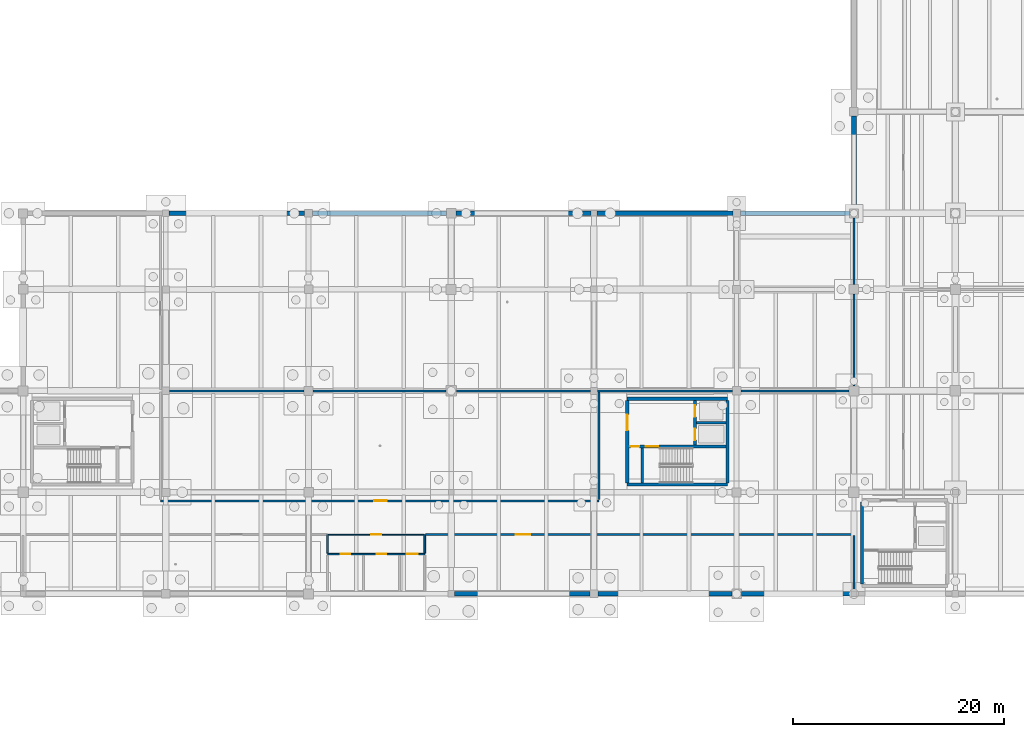
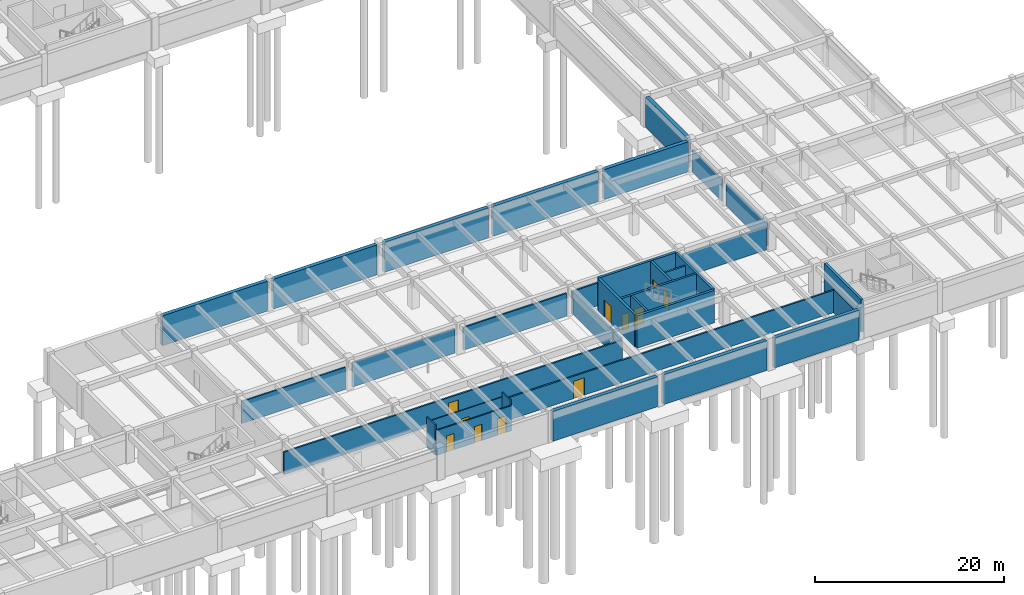
# One storey, part 17 of 41: 33 walls, 11 doors, 11 openings.
"""IFC4 building model written with IfcOpenShell, lengths in metres."""

from ifc_helpers import new_model, si_unit, direction, frame, frame_2d, origin, place, context, subcontext, project, spatial, rectangle, extrude, material, layer, layer_set, type_object, element, fill, save


model = new_model("IFC4")

# Units and contexts
model_context = context("Model", 3, precision=1e-05, world=origin(), true_north=direction((0.0, 1.0)))
body_context = subcontext(model_context, "Body", "Model", "MODEL_VIEW")
ifc_project = project(units=[si_unit("LENGTHUNIT", "METRE"), si_unit("AREAUNIT", "SQUARE_METRE"), si_unit("VOLUMEUNIT", "CUBIC_METRE"), si_unit("PLANEANGLEUNIT", "RADIAN"), si_unit("MASSUNIT", "GRAM", prefix="KILO")], contexts=[model_context])

# Site, building, storey
site_placement = place(None, origin())
site = spatial("IfcSite", under=ifc_project, at=site_placement, CompositionType="ELEMENT")
building_placement = place(site_placement, origin())
building = spatial("IfcBuilding", under=site, at=building_placement, Name="Fikremerkos Civic Library", CompositionType="ELEMENT")
storey_placement = place(building_placement, frame((0.0, 0.0, -8.39990234375)))
storey = spatial("IfcBuildingStorey", under=building, at=storey_placement, Name="B02", CompositionType="ELEMENT", Elevation=-8.39990234375)

# Walls
ifc_material_1 = material(Name="Concrete C40/50", Category="concrete")
ifc_layer_1 = layer(ifc_material_1, 0.449951171875, Name="Concrete C40/50")
ifc_layer_set_1 = layer_set([ifc_layer_1], Name="Concrete C40/50")
wall_type_1 = type_object("IfcWallType", Name="Basement retaining wall BRW-01 450", PredefinedType="USERDEFINED", material=ifc_layer_set_1)
wall_1_placement = place(storey_placement, frame((124.527099609375, 12.0, 0.0), z_axis=(0.0, 0.0, 1.0), x_axis=(-1.0, 0.0, 0.0)))
element("IfcWall", 1, at=wall_1_placement, inside=storey, type_object=wall_type_1, Name="Basement retaining wall BRW-01 B02 #1", ObjectType="RETAINING WALL", PredefinedType="USERDEFINED", context=body_context, shape_type="SweptSolid", body=[
    extrude(rectangle(XDim=10.379150390625, YDim=0.449951171875, at=frame_2d((5.189453125, 0.0))), origin(), (0.0, 0.0, 1.0), 3.85986328125),
])
wall_2_placement = place(storey_placement, frame((113.251953125, 12.0, 0.0), z_axis=(0.0, 0.0, 1.0), x_axis=(-1.0, 0.0, 0.0)))
element("IfcWall", 2, at=wall_2_placement, inside=storey, type_object=wall_type_1, Name="Basement retaining wall BRW-01 B02 #2", ObjectType="RETAINING WALL", PredefinedType="USERDEFINED", context=body_context, shape_type="SweptSolid", body=[
    extrude(rectangle(XDim=12.678955078125, YDim=0.449951171875, at=frame_2d((6.33935546875, 0.0))), origin(), (0.0, 0.0, 1.0), 3.85986328125),
])
wall_3_placement = place(storey_placement, frame((99.826904296875, 12.0, 0.0), z_axis=(0.0, 0.0, 1.0), x_axis=(-1.0, 0.0, 0.0)))
element("IfcWall", 3, at=wall_3_placement, inside=storey, type_object=wall_type_1, Name="Basement retaining wall BRW-01 B02 #3", ObjectType="RETAINING WALL", PredefinedType="USERDEFINED", context=body_context, shape_type="SweptSolid", body=[
    extrude(rectangle(XDim=12.828857421875, YDim=0.449951171875, at=frame_2d((6.41455078125, 0.0))), origin(), (0.0, 0.0, 1.0), 3.85986328125),
])
wall_4_placement = place(storey_placement, frame((59.998046875, 48.0, 0.0), z_axis=(0.0, 0.0, 1.0), x_axis=(1.0, 0.0, 0.0)))
element("IfcWall", 4, at=wall_4_placement, inside=storey, type_object=wall_type_1, Name="Basement retaining wall BRW-01 B02 #40", ObjectType="RETAINING WALL", PredefinedType="USERDEFINED", context=body_context, shape_type="SweptSolid", body=[
    extrude(rectangle(XDim=12.828857421875, YDim=0.449951171875, at=frame_2d((6.41455078125, 0.0))), origin(), (0.0, 0.0, 1.0), 3.8798828125),
])
wall_5_placement = place(storey_placement, frame((73.572998046875, 48.0, 0.0), z_axis=(0.0, 0.0, 1.0), x_axis=(1.0, 0.0, 0.0)))
element("IfcWall", 5, at=wall_5_placement, inside=storey, type_object=wall_type_1, Name="Basement retaining wall BRW-01 B02 #41", ObjectType="RETAINING WALL", PredefinedType="USERDEFINED", context=body_context, shape_type="SweptSolid", body=[
    extrude(rectangle(XDim=12.678955078125, YDim=0.449951171875, at=frame_2d((6.33935546875, 0.0))), origin(), (0.0, 0.0, 1.0), 3.8798828125),
])
wall_6_placement = place(storey_placement, frame((87.14794921875, 48.0, 0.0), z_axis=(0.0, 0.0, 1.0), x_axis=(1.0, 0.0, 0.0)))
element("IfcWall", 6, at=wall_6_placement, inside=storey, type_object=wall_type_1, Name="Basement retaining wall BRW-01 B02 #42", ObjectType="RETAINING WALL", PredefinedType="USERDEFINED", context=body_context, shape_type="SweptSolid", body=[
    extrude(rectangle(XDim=12.779052734375, YDim=0.449951171875, at=frame_2d((6.3896484375, 0.0))), origin(), (0.0, 0.0, 1.0), 3.8798828125),
])
wall_7_placement = place(storey_placement, frame((100.472900390625, 48.0, 0.0), z_axis=(0.0, 0.0, 1.0), x_axis=(1.0, 0.0, 0.0)))
element("IfcWall", 7, at=wall_7_placement, inside=storey, type_object=wall_type_1, Name="Basement retaining wall BRW-01 B02 #43", ObjectType="RETAINING WALL", PredefinedType="USERDEFINED", context=body_context, shape_type="SweptSolid", body=[
    extrude(rectangle(XDim=12.879150390625, YDim=0.449951171875, at=frame_2d((6.439453125, 0.0))), origin(), (0.0, 0.0, 1.0), 3.8798828125),
])
wall_8_placement = place(storey_placement, frame((114.048095703125, 48.0, 0.0), z_axis=(0.0, 0.0, 1.0), x_axis=(1.0, 0.0, 0.0)))
element("IfcWall", 8, at=wall_8_placement, inside=storey, type_object=wall_type_1, Name="Basement retaining wall BRW-01 B02 #44", ObjectType="RETAINING WALL", PredefinedType="USERDEFINED", context=body_context, shape_type="SweptSolid", body=[
    extrude(rectangle(XDim=10.328857421875, YDim=0.449951171875, at=frame_2d((5.16455078125, 0.0))), origin(), (0.0, 0.0, 1.0), 3.8798828125),
])
wall_9_placement = place(storey_placement, frame((124.800048828125, 48.423095703125, 0.0), z_axis=(0.0, 0.0, 1.0), x_axis=(0.0, 1.0, 0.0)))
element("IfcWall", 9, at=wall_9_placement, inside=storey, type_object=wall_type_1, Name="Basement retaining wall BRW-01 B02 #45", ObjectType="RETAINING WALL", PredefinedType="USERDEFINED", context=body_context, shape_type="SweptSolid", body=[
    extrude(rectangle(XDim=8.77880859375, YDim=0.449951171875, at=frame_2d((4.389404296875, 0.0))), origin(), (0.0, 0.0, 1.0), 3.89990234375),
])
ifc_layer_2 = layer(ifc_material_1, 0.300048828125, Name="Concrete C40/50")
ifc_layer_set_2 = layer_set([ifc_layer_2], Name="Concrete C40/50")
wall_type_2 = type_object("IfcWallType", Name="Core shear wall CSW-01 300", PredefinedType="SHEAR", material=ifc_layer_set_2)
for number, where, z_axis, x_axis, name in (
    (10, (112.85009765625, 22.35009765625, 0.0), (0.0, 0.0, 1.0), (-1.0, 0.0, 0.0), "Core K2 south shear wall B02"),
    (11, (103.35009765625, 30.449951171875, 0.0), (0.0, 0.0, 1.0), (1.0, 0.0, 0.0), "Core K2 north shear wall B02"),
):
    element("IfcWall", number, at=place(storey_placement, frame(where, z_axis=z_axis, x_axis=x_axis)), inside=storey, type_object=wall_type_2, Name=name, PredefinedType="SHEAR", context=body_context, shape_type="SweptSolid", body=[
        extrude(rectangle(XDim=9.5, YDim=0.300048828125, at=frame_2d((4.75, 0.0))), origin(), (0.0, 0.0, 1.0), 4.199951171875),
    ])

# Wall, opening, door
wall_10_placement = place(storey_placement, frame((103.35009765625, 22.501953125, 0.0), z_axis=(0.0, 0.0, 1.0), x_axis=(0.0, 1.0, 0.0)))
wall_10 = element("IfcWall", 12, at=wall_10_placement, inside=storey, type_object=wall_type_2, Name="Core K2 west shear wall B02", PredefinedType="SHEAR", context=body_context, shape_type="SweptSolid", body=[
    extrude(rectangle(XDim=7.796142578125, YDim=0.300048828125, at=frame_2d((3.89794921875, 0.0))), origin(), (0.0, 0.0, 1.0), 4.199951171875),
])
opening_1_placement = place(wall_10_placement, frame((4.947998046875, 0.0, 0.0)))
opening_1 = element("IfcOpeningElement", 13, at=opening_1_placement, cuts=wall_10, Name="Opening D053", PredefinedType="OPENING", context=body_context, shape_type="SweptSolid", body=[
    extrude(rectangle(XDim=1.5, YDim=2.25, at=frame_2d((0.75, 1.125))), frame((0.0, 0.159912109375, 0.0), z_axis=(0.0, -1.0, 0.0), x_axis=(1.0, 0.0, 0.0)), (0.0, 0.0, 1.0), 0.320068359375),
])
ifc_material_2 = material(Name="Hardwood timber and acoustic glass", Category="wood")
door_type_1 = type_object("IfcDoorType", Name="Pedestrian door DT-05 1500x2250", OperationType="NOTDEFINED", PredefinedType="DOOR", material=ifc_material_2)
door_1_placement = place(opening_1_placement, origin())
door_1 = element("IfcDoor", 14, at=door_1_placement, inside=storey, type_object=door_type_1, Name="Core K2 lobby fire door D053 B02", OperationType="SINGLE_SWING_LEFT", OverallHeight=2.25, OverallWidth=1.5, PredefinedType="DOOR", context=body_context, shape_type="SweptSolid", body=[
    extrude(rectangle(XDim=1.5, YDim=2.25, at=frame_2d((0.75, 1.125))), frame((0.0, 0.032470703125, 0.0), z_axis=(0.0, -1.0, 0.0), x_axis=(1.0, 0.0, 0.0)), (0.0, 0.0, 1.0), 0.06494140625),
])
fill(opening_1, door_1)

# Walls
wall_11_placement = place(storey_placement, frame((112.85009765625, 30.298095703125, 0.0), z_axis=(0.0, 0.0, 1.0), x_axis=(0.0, -1.0, 0.0)))
element("IfcWall", 15, at=wall_11_placement, inside=storey, type_object=wall_type_2, Name="Core K2 east shear wall B02", PredefinedType="SHEAR", context=body_context, shape_type="SweptSolid", body=[
    extrude(rectangle(XDim=7.796142578125, YDim=0.300048828125, at=frame_2d((3.89794921875, 0.0))), origin(), (0.0, 0.0, 1.0), 4.199951171875),
])
wall_12_placement = place(storey_placement, frame((125.550048828125, 12.902099609375, 0.0), z_axis=(0.0, 0.0, 1.0), x_axis=(0.0, 1.0, 0.0)))
element("IfcWall", 16, at=wall_12_placement, inside=storey, type_object=wall_type_2, Name="Core K4 west shear wall B02", PredefinedType="SHEAR", context=body_context, shape_type="SweptSolid", body=[
    extrude(rectangle(XDim=7.7958984375, YDim=0.300048828125, at=frame_2d((3.89794921875, 0.0))), origin(), (0.0, 0.0, 1.0), 4.199951171875),
])

# Wall, openings, doors
ifc_layer_3 = layer(ifc_material_1, 0.260009765625, Name="Concrete C40/50")
ifc_layer_set_3 = layer_set([ifc_layer_3], Name="Concrete C40/50")
wall_type_3 = type_object("IfcWallType", Name="Core shear wall CSW-02 260", PredefinedType="SHEAR", material=ifc_layer_set_3)
wall_13_placement = place(storey_placement, frame((103.501953125, 25.929931640625, 0.0), z_axis=(0.0, 0.0, 1.0), x_axis=(1.0, 0.0, 0.0)))
wall_13 = element("IfcWall", 17, at=wall_13_placement, inside=storey, type_object=wall_type_3, Name="Core K2 stair compartment wall B02", PredefinedType="SHEAR", context=body_context, shape_type="SweptSolid", body=[
    extrude(rectangle(XDim=9.196044921875, YDim=0.260009765625, at=frame_2d((4.59814453125, 0.0))), origin(), (0.0, 0.0, 1.0), 4.199951171875),
])
opening_2_placement = place(wall_13_placement, frame((1.597900390625, 0.0, 0.0)))
opening_2 = element("IfcOpeningElement", 18, at=opening_2_placement, cuts=wall_13, Name="Opening D054", PredefinedType="OPENING", context=body_context, shape_type="SweptSolid", body=[
    extrude(rectangle(XDim=1.199951171875, YDim=2.199951171875, at=frame_2d((0.60009765625, 1.10009765625))), frame((0.0, 0.139892578125, 0.0), z_axis=(0.0, -1.0, 0.0), x_axis=(1.0, 0.0, 0.0)), (0.0, 0.0, 1.0), 0.280029296875),
])
opening_3_placement = place(wall_13_placement, frame((0.14306640625, 0.0, 0.0)))
opening_3 = element("IfcOpeningElement", 19, at=opening_3_placement, cuts=wall_13, Name="Opening D055", PredefinedType="OPENING", context=body_context, shape_type="SweptSolid", body=[
    extrude(rectangle(XDim=0.85009765625, YDim=2.050048828125, at=frame_2d((0.425048828125, 1.02490234375))), frame((0.0, 0.139892578125, 0.0), z_axis=(0.0, -1.0, 0.0), x_axis=(1.0, 0.0, 0.0)), (0.0, 0.0, 1.0), 0.280029296875),
])
door_type_2 = type_object("IfcDoorType", Name="Pedestrian door DT-06 1200x2200", OperationType="NOTDEFINED", PredefinedType="DOOR", material=ifc_material_2)
door_2_placement = place(opening_2_placement, origin())
door_2 = element("IfcDoor", 20, at=door_2_placement, inside=storey, type_object=door_type_2, Name="Core K2 stair fire door D054 B02", OperationType="SINGLE_SWING_RIGHT", OverallHeight=2.199951171875, OverallWidth=1.199951171875, PredefinedType="DOOR", context=body_context, shape_type="SweptSolid", body=[
    extrude(rectangle(XDim=1.199951171875, YDim=2.199951171875, at=frame_2d((0.60009765625, 1.10009765625))), frame((0.0, 0.032470703125, 0.0), z_axis=(0.0, -1.0, 0.0), x_axis=(1.0, 0.0, 0.0)), (0.0, 0.0, 1.0), 0.06494140625),
])
fill(opening_2, door_2)
door_type_3 = type_object("IfcDoorType", Name="Pedestrian door DT-08 850x2050", OperationType="NOTDEFINED", PredefinedType="DOOR", material=ifc_material_2)
door_3_placement = place(opening_3_placement, origin())
door_3 = element("IfcDoor", 21, at=door_3_placement, inside=storey, type_object=door_type_3, Name="Core K2 riser access fire door D055 B02", OperationType="SINGLE_SWING_LEFT", OverallHeight=2.050048828125, OverallWidth=0.85009765625, PredefinedType="DOOR", context=body_context, shape_type="SweptSolid", body=[
    extrude(rectangle(XDim=0.85009765625, YDim=2.050048828125, at=frame_2d((0.425048828125, 1.02490234375))), frame((0.0, 0.032470703125, 0.0), z_axis=(0.0, -1.0, 0.0), x_axis=(1.0, 0.0, 0.0)), (0.0, 0.0, 1.0), 0.06494140625),
])
fill(opening_3, door_3)

# Wall
wall_14_placement = place(storey_placement, frame((104.77001953125, 22.501953125, 0.0), z_axis=(0.0, 0.0, 1.0), x_axis=(0.0, 1.0, 0.0)))
element("IfcWall", 22, at=wall_14_placement, inside=storey, type_object=wall_type_3, Name="Core K2 stair-riser shear wall B02", PredefinedType="SHEAR", context=body_context, shape_type="SweptSolid", body=[
    extrude(rectangle(XDim=3.296142578125, YDim=0.260009765625, at=frame_2d((1.64794921875, 0.0))), origin(), (0.0, 0.0, 1.0), 4.199951171875),
])

# Wall, openings, doors
wall_15_placement = place(storey_placement, frame((109.77001953125, 26.06201171875, 0.0), z_axis=(0.0, 0.0, 1.0), x_axis=(0.0, 1.0, 0.0)))
wall_15 = element("IfcWall", 23, at=wall_15_placement, inside=storey, type_object=wall_type_3, Name="Core K2 lift shaft front wall B02", PredefinedType="SHEAR", context=body_context, shape_type="SweptSolid", body=[
    extrude(rectangle(XDim=4.236083984375, YDim=0.260009765625, at=frame_2d((2.1181640625, 0.0))), origin(), (0.0, 0.0, 1.0), 4.199951171875),
])
opening_4_placement = place(wall_15_placement, frame((0.468017578125, 0.0, 0.0)))
opening_4 = element("IfcOpeningElement", 24, at=opening_4_placement, cuts=wall_15, Name="Opening LD17", PredefinedType="OPENING", context=body_context, shape_type="SweptSolid", body=[
    extrude(rectangle(XDim=1.10009765625, YDim=2.14990234375, at=frame_2d((0.550048828125, 1.074951171875))), frame((0.0, 0.139892578125, 0.0), z_axis=(0.0, -1.0, 0.0), x_axis=(1.0, 0.0, 0.0)), (0.0, 0.0, 1.0), 0.280029296875),
])
opening_5_placement = place(wall_15_placement, frame((2.66796875, 0.0, 0.0)))
opening_5 = element("IfcOpeningElement", 25, at=opening_5_placement, cuts=wall_15, Name="Opening LD18", PredefinedType="OPENING", context=body_context, shape_type="SweptSolid", body=[
    extrude(rectangle(XDim=1.10009765625, YDim=2.14990234375, at=frame_2d((0.550048828125, 1.074951171875))), frame((0.0, 0.139892578125, 0.0), z_axis=(0.0, -1.0, 0.0), x_axis=(1.0, 0.0, 0.0)), (0.0, 0.0, 1.0), 0.280029296875),
])
ifc_material_3 = material(Name="Brushed stainless steel", Category="steel")
door_type_4 = type_object("IfcDoorType", Name="Lift landing door LDT-01 1100x2150", OperationType="NOTDEFINED", PredefinedType="DOOR", material=ifc_material_3)
door_4_placement = place(opening_4_placement, origin())
door_4 = element("IfcDoor", 26, at=door_4_placement, inside=storey, type_object=door_type_4, Name="Lift LF03 sliding landing door LD17 B02", OperationType="SLIDING_TO_LEFT", OverallHeight=2.14990234375, OverallWidth=1.10009765625, PredefinedType="DOOR", context=body_context, shape_type="SweptSolid", body=[
    extrude(rectangle(XDim=1.10009765625, YDim=2.14990234375, at=frame_2d((0.550048828125, 1.074951171875))), frame((0.0, 0.032470703125, 0.0), z_axis=(0.0, -1.0, 0.0), x_axis=(1.0, 0.0, 0.0)), (0.0, 0.0, 1.0), 0.06494140625),
])
fill(opening_4, door_4)
door_5_placement = place(opening_5_placement, origin())
door_5 = element("IfcDoor", 27, at=door_5_placement, inside=storey, type_object=door_type_4, Name="Lift LF04 sliding landing door LD18 B02", OperationType="SLIDING_TO_LEFT", OverallHeight=2.14990234375, OverallWidth=1.10009765625, PredefinedType="DOOR", context=body_context, shape_type="SweptSolid", body=[
    extrude(rectangle(XDim=1.10009765625, YDim=2.14990234375, at=frame_2d((0.550048828125, 1.074951171875))), frame((0.0, 0.032470703125, 0.0), z_axis=(0.0, -1.0, 0.0), x_axis=(1.0, 0.0, 0.0)), (0.0, 0.0, 1.0), 0.06494140625),
])
fill(opening_5, door_5)

# Wall, opening, door
ifc_material_4 = material(Name="Acoustic concrete blockwork", Category="masonry")
ifc_layer_4 = layer(ifc_material_4, 0.18994140625, Name="Acoustic concrete blockwork")
ifc_layer_set_4 = layer_set([ifc_layer_4], Name="Acoustic concrete blockwork")
wall_type_4 = type_object("IfcWallType", Name="Interior partition wall IPW-01 190", PredefinedType="PARTITIONING", material=ifc_layer_set_4)
wall_16_placement = place(storey_placement, frame((59.199951171875, 20.800048828125, 0.0), z_axis=(0.0, 0.0, 1.0), x_axis=(1.0, 0.0, 0.0)))
wall_16 = element("IfcWall", 28, at=wall_16_placement, inside=storey, type_object=wall_type_4, Name="Interior wall IPW-01 B02 #11", PredefinedType="PARTITIONING", context=body_context, shape_type="SweptSolid", body=[
    extrude(rectangle(XDim=41.5, YDim=0.18994140625, at=frame_2d((20.75, 0.0))), origin(), (0.0, 0.0, 1.0), 2.89990234375),
])
opening_6_placement = place(wall_16_placement, frame((20.199951171875, 0.0, 0.0)))
opening_6 = element("IfcOpeningElement", 29, at=opening_6_placement, cuts=wall_16, Name="Opening D137", PredefinedType="OPENING", context=body_context, shape_type="SweptSolid", body=[
    extrude(rectangle(XDim=1.199951171875, YDim=2.199951171875, at=frame_2d((0.60009765625, 1.10009765625))), frame((0.0, 0.10498046875, 0.0), z_axis=(0.0, -1.0, 0.0), x_axis=(1.0, 0.0, 0.0)), (0.0, 0.0, 1.0), 0.2099609375),
])
door_6_placement = place(opening_6_placement, origin())
door_6 = element("IfcDoor", 30, at=door_6_placement, inside=storey, type_object=door_type_2, Name="Interior door D137 B02", OperationType="SINGLE_SWING_RIGHT", OverallHeight=2.199951171875, OverallWidth=1.199951171875, PredefinedType="DOOR", context=body_context, shape_type="SweptSolid", body=[
    extrude(rectangle(XDim=1.199951171875, YDim=2.199951171875, at=frame_2d((0.60009765625, 1.10009765625))), frame((0.0, 0.032470703125, 0.0), z_axis=(0.0, -1.0, 0.0), x_axis=(1.0, 0.0, 0.0)), (0.0, 0.0, 1.0), 0.06494140625),
])
fill(opening_6, door_6)

# Walls
wall_17_placement = place(storey_placement, frame((60.052978515625, 31.199951171875, 0.0), z_axis=(0.0, 0.0, 1.0), x_axis=(1.0, 0.0, 0.0)))
element("IfcWall", 31, at=wall_17_placement, inside=storey, type_object=wall_type_4, Name="Interior wall IPW-01 B02 #12", PredefinedType="PARTITIONING", context=body_context, shape_type="SweptSolid", body=[
    extrude(rectangle(XDim=12.718994140625, YDim=0.18994140625, at=frame_2d((6.359375, 0.0))), origin(), (0.0, 0.0, 1.0), 2.869873046875),
])
wall_18_placement = place(storey_placement, frame((73.6279296875, 31.199951171875, 0.0), z_axis=(0.0, 0.0, 1.0), x_axis=(1.0, 0.0, 0.0)))
element("IfcWall", 32, at=wall_18_placement, inside=storey, type_object=wall_type_4, Name="Interior wall IPW-01 B02 #13", PredefinedType="PARTITIONING", context=body_context, shape_type="SweptSolid", body=[
    extrude(rectangle(XDim=12.569091796875, YDim=0.18994140625, at=frame_2d((6.28466796875, 0.0))), origin(), (0.0, 0.0, 1.0), 3.14990234375),
])
wall_19_placement = place(storey_placement, frame((87.202880859375, 31.199951171875, 0.0), z_axis=(0.0, 0.0, 1.0), x_axis=(1.0, 0.0, 0.0)))
element("IfcWall", 33, at=wall_19_placement, inside=storey, type_object=wall_type_4, Name="Interior wall IPW-01 B02 #14", PredefinedType="PARTITIONING", context=body_context, shape_type="SweptSolid", body=[
    extrude(rectangle(XDim=12.669189453125, YDim=0.18994140625, at=frame_2d((6.33447265625, 0.0))), origin(), (0.0, 0.0, 1.0), 2.949951171875),
])
wall_20_placement = place(storey_placement, frame((100.528076171875, 31.199951171875, 0.0), z_axis=(0.0, 0.0, 1.0), x_axis=(1.0, 0.0, 0.0)))
element("IfcWall", 34, at=wall_20_placement, inside=storey, type_object=wall_type_4, Name="Interior wall IPW-01 B02 #15", PredefinedType="PARTITIONING", context=body_context, shape_type="SweptSolid", body=[
    extrude(rectangle(XDim=12.76904296875, YDim=0.18994140625, at=frame_2d((6.384521484375, 0.0))), origin(), (0.0, 0.0, 1.0), 2.949951171875),
])
wall_21_placement = place(storey_placement, frame((114.10302734375, 31.199951171875, 0.0), z_axis=(0.0, 0.0, 1.0), x_axis=(1.0, 0.0, 0.0)))
element("IfcWall", 35, at=wall_21_placement, inside=storey, type_object=wall_type_4, Name="Interior wall IPW-01 B02 #16", PredefinedType="PARTITIONING", context=body_context, shape_type="SweptSolid", body=[
    extrude(rectangle(XDim=10.218994140625, YDim=0.18994140625, at=frame_2d((5.109375, 0.0))), origin(), (0.0, 0.0, 1.0), 3.0),
])

# Wall, opening, door
wall_22_placement = place(storey_placement, frame((84.25, 17.60009765625, 0.0), z_axis=(0.0, 0.0, 1.0), x_axis=(1.0, 0.0, 0.0)))
wall_22 = element("IfcWall", 36, at=wall_22_placement, inside=storey, type_object=wall_type_4, Name="Interior wall IPW-01 B02 #19", PredefinedType="PARTITIONING", context=body_context, shape_type="SweptSolid", body=[
    extrude(rectangle(XDim=40.550048828125, YDim=0.18994140625, at=frame_2d((20.27490234375, 0.0))), origin(), (0.0, 0.0, 1.0), 2.89990234375),
])
opening_7_placement = place(wall_22_placement, frame((8.574951171875, 0.0, 0.0)))
opening_7 = element("IfcOpeningElement", 37, at=opening_7_placement, cuts=wall_22, Name="Opening D139", PredefinedType="OPENING", context=body_context, shape_type="SweptSolid", body=[
    extrude(rectangle(XDim=1.35009765625, YDim=2.25, at=frame_2d((0.675048828125, 1.125))), frame((0.0, 0.10498046875, 0.0), z_axis=(0.0, -1.0, 0.0), x_axis=(1.0, 0.0, 0.0)), (0.0, 0.0, 1.0), 0.2099609375),
])
door_type_5 = type_object("IfcDoorType", Name="Pedestrian door DT-07 1350x2250", OperationType="NOTDEFINED", PredefinedType="DOOR", material=ifc_material_2)
door_7_placement = place(opening_7_placement, origin())
door_7 = element("IfcDoor", 38, at=door_7_placement, inside=storey, type_object=door_type_5, Name="Interior door D139 B02", OperationType="SINGLE_SWING_RIGHT", OverallHeight=2.25, OverallWidth=1.35009765625, PredefinedType="DOOR", context=body_context, shape_type="SweptSolid", body=[
    extrude(rectangle(XDim=1.35009765625, YDim=2.25, at=frame_2d((0.675048828125, 1.125))), frame((0.0, 0.032470703125, 0.0), z_axis=(0.0, -1.0, 0.0), x_axis=(1.0, 0.0, 0.0)), (0.0, 0.0, 1.0), 0.06494140625),
])
fill(opening_7, door_7)

# Walls
wall_23_placement = place(storey_placement, frame((100.699951171875, 20.905029296875, 0.0), z_axis=(0.0, 0.0, 1.0), x_axis=(0.0, 1.0, 0.0)))
element("IfcWall", 39, at=wall_23_placement, inside=storey, type_object=wall_type_4, Name="Interior wall IPW-01 B02 #31", PredefinedType="PARTITIONING", context=body_context, shape_type="SweptSolid", body=[
    extrude(rectangle(XDim=10.18994140625, YDim=0.18994140625, at=frame_2d((5.094970703125, 0.0))), origin(), (0.0, 0.0, 1.0), 3.099853515625),
])
wall_24_placement = place(storey_placement, frame((124.800048828125, 12.278076171875, 0.0), z_axis=(0.0, 0.0, 1.0), x_axis=(0.0, 1.0, 0.0)))
element("IfcWall", 40, at=wall_24_placement, inside=storey, type_object=wall_type_4, Name="Interior wall IPW-01 B02 #32", PredefinedType="PARTITIONING", context=body_context, shape_type="SweptSolid", body=[
    extrude(rectangle(XDim=5.217041015625, YDim=0.18994140625, at=frame_2d((2.6083984375, 0.0))), origin(), (0.0, 0.0, 1.0), 3.0),
])
wall_25_placement = place(storey_placement, frame((124.800048828125, 31.677978515625, 0.0), z_axis=(0.0, 0.0, 1.0), x_axis=(0.0, 1.0, 0.0)))
element("IfcWall", 41, at=wall_25_placement, inside=storey, type_object=wall_type_4, Name="Interior wall IPW-01 B02 #33", PredefinedType="PARTITIONING", context=body_context, shape_type="SweptSolid", body=[
    extrude(rectangle(XDim=8.6689453125, YDim=0.18994140625, at=frame_2d((4.33447265625, 0.0))), origin(), (0.0, 0.0, 1.0), 2.869873046875),
])
wall_26_placement = place(storey_placement, frame((124.800048828125, 41.2529296875, 0.0), z_axis=(0.0, 0.0, 1.0), x_axis=(0.0, 1.0, 0.0)))
element("IfcWall", 42, at=wall_26_placement, inside=storey, type_object=wall_type_4, Name="Interior wall IPW-01 B02 #34", PredefinedType="PARTITIONING", context=body_context, shape_type="SweptSolid", body=[
    extrude(rectangle(XDim=6.319091796875, YDim=0.18994140625, at=frame_2d((3.15966796875, 0.0))), origin(), (0.0, 0.0, 1.0), 2.869873046875),
])

# Wall, opening, door
ifc_material_5 = material(Name="Lightweight metal stud partition")
ifc_layer_5 = layer(ifc_material_5, 0.110107421875, Name="Lightweight metal stud partition")
ifc_layer_set_5 = layer_set([ifc_layer_5], Name="Lightweight metal stud partition")
wall_type_5 = type_object("IfcWallType", Name="Interior partition wall IPW-04 110", PredefinedType="PARTITIONING", material=ifc_layer_set_5)
wall_27_placement = place(storey_placement, frame((75.050048828125, 17.60009765625, 0.0), z_axis=(0.0, 0.0, 1.0), x_axis=(1.0, 0.0, 0.0)))
wall_27 = element("IfcWall", 43, at=wall_27_placement, inside=storey, type_object=wall_type_5, Name="Interior wall IPW-04 B02 #39", PredefinedType="PARTITIONING", context=body_context, shape_type="SweptSolid", body=[
    extrude(rectangle(XDim=9.099853515625, YDim=0.110107421875, at=frame_2d((4.5498046875, 0.0))), origin(), (0.0, 0.0, 1.0), 3.25),
])
opening_8_placement = place(wall_27_placement, frame((4.074951171875, 0.0, 0.0)))
opening_8 = element("IfcOpeningElement", 44, at=opening_8_placement, cuts=wall_27, Name="Opening D128", PredefinedType="OPENING", context=body_context, shape_type="SweptSolid", body=[
    extrude(rectangle(XDim=0.949951171875, YDim=2.14990234375, at=frame_2d((0.47509765625, 1.074951171875))), frame((0.0, 0.06494140625, 0.0), z_axis=(0.0, -1.0, 0.0), x_axis=(1.0, 0.0, 0.0)), (0.0, 0.0, 1.0), 0.130126953125),
])
door_type_6 = type_object("IfcDoorType", Name="Pedestrian door DT-02 950x2150", OperationType="NOTDEFINED", PredefinedType="DOOR", material=ifc_material_2)
door_8_placement = place(opening_8_placement, origin())
door_8 = element("IfcDoor", 45, at=door_8_placement, inside=storey, type_object=door_type_6, Name="Interior door D128 B02", OperationType="SINGLE_SWING_LEFT", OverallHeight=2.14990234375, OverallWidth=0.949951171875, PredefinedType="DOOR", context=body_context, shape_type="SweptSolid", body=[
    extrude(rectangle(XDim=0.949951171875, YDim=2.14990234375, at=frame_2d((0.47509765625, 1.074951171875))), frame((0.0, 0.032470703125, 0.0), z_axis=(0.0, -1.0, 0.0), x_axis=(1.0, 0.0, 0.0)), (0.0, 0.0, 1.0), 0.06494140625),
])
fill(opening_8, door_8)

# Wall
ifc_material_6 = material(Name="Concrete C35/45", Category="concrete")
ifc_layer_6 = layer(ifc_material_6, 0.199951171875, Name="Concrete C35/45")
ifc_layer_set_6 = layer_set([ifc_layer_6], Name="Concrete C35/45")
wall_type_6 = type_object("IfcWallType", Name="Service duct wall SDW-01 200", PredefinedType="PLUMBINGWALL", material=ifc_layer_set_6)
wall_28_placement = place(storey_placement, frame((109.902099609375, 28.179931640625, 0.0), z_axis=(0.0, 0.0, 1.0), x_axis=(1.0, 0.0, 0.0)))
element("IfcWall", 46, at=wall_28_placement, inside=storey, type_object=wall_type_6, Name="Core K2 inter-lift shaft wall B02", PredefinedType="PLUMBINGWALL", context=body_context, shape_type="SweptSolid", body=[
    extrude(rectangle(XDim=2.7958984375, YDim=0.199951171875, at=frame_2d((1.39794921875, 0.0))), origin(), (0.0, 0.0, 1.0), 3.85986328125),
])

# Wall, openings, doors
ifc_material_7 = material(Name="Aerated concrete blockwork", Category="masonry")
ifc_layer_7 = layer(ifc_material_7, 0.159912109375, Name="Aerated concrete blockwork")
ifc_layer_set_7 = layer_set([ifc_layer_7], Name="Aerated concrete blockwork")
wall_type_7 = type_object("IfcWallType", Name="Service duct wall SDW-02 160", PredefinedType="PLUMBINGWALL", material=ifc_layer_set_7)
wall_29_placement = place(storey_placement, frame((75.0, 15.75, 0.0), z_axis=(0.0, 0.0, 1.0), x_axis=(1.0, 0.0, 0.0)))
wall_29 = element("IfcWall", 47, at=wall_29_placement, inside=storey, type_object=wall_type_7, Name="Interior wall SDW-02 B02 #1", PredefinedType="PLUMBINGWALL", context=body_context, shape_type="SweptSolid", body=[
    extrude(rectangle(XDim=9.199951171875, YDim=0.159912109375, at=frame_2d((4.60009765625, 0.0))), origin(), (0.0, 0.0, 1.0), 3.25),
])
opening_9_placement = place(wall_29_placement, frame((1.25, 0.0, 0.0)))
opening_9 = element("IfcOpeningElement", 48, at=opening_9_placement, cuts=wall_29, Name="Opening D129", PredefinedType="OPENING", context=body_context, shape_type="SweptSolid", body=[
    extrude(rectangle(XDim=0.89990234375, YDim=2.10009765625, at=frame_2d((0.449951171875, 1.050048828125))), frame((0.0, 0.08984375, 0.0), z_axis=(0.0, -1.0, 0.0), x_axis=(1.0, 0.0, 0.0)), (0.0, 0.0, 1.0), 0.179931640625),
])
opening_10_placement = place(wall_29_placement, frame((4.64990234375, 0.0, 0.0)))
opening_10 = element("IfcOpeningElement", 49, at=opening_10_placement, cuts=wall_29, Name="Opening D130", PredefinedType="OPENING", context=body_context, shape_type="SweptSolid", body=[
    extrude(rectangle(XDim=0.89990234375, YDim=2.10009765625, at=frame_2d((0.449951171875, 1.050048828125))), frame((0.0, 0.08984375, 0.0), z_axis=(0.0, -1.0, 0.0), x_axis=(1.0, 0.0, 0.0)), (0.0, 0.0, 1.0), 0.179931640625),
])
opening_11_placement = place(wall_29_placement, frame((7.47509765625, 0.0, 0.0)))
opening_11 = element("IfcOpeningElement", 50, at=opening_11_placement, cuts=wall_29, Name="Opening D131", PredefinedType="OPENING", context=body_context, shape_type="SweptSolid", body=[
    extrude(rectangle(XDim=1.050048828125, YDim=2.14990234375, at=frame_2d((0.52490234375, 1.074951171875))), frame((0.0, 0.08984375, 0.0), z_axis=(0.0, -1.0, 0.0), x_axis=(1.0, 0.0, 0.0)), (0.0, 0.0, 1.0), 0.179931640625),
])
door_type_7 = type_object("IfcDoorType", Name="Pedestrian door DT-03 900x2100", OperationType="NOTDEFINED", PredefinedType="DOOR", material=ifc_material_2)
door_9_placement = place(opening_9_placement, origin())
door_9 = element("IfcDoor", 51, at=door_9_placement, inside=storey, type_object=door_type_7, Name="Interior door D129 B02", OperationType="SINGLE_SWING_RIGHT", OverallHeight=2.10009765625, OverallWidth=0.89990234375, PredefinedType="DOOR", context=body_context, shape_type="SweptSolid", body=[
    extrude(rectangle(XDim=0.89990234375, YDim=2.10009765625, at=frame_2d((0.449951171875, 1.050048828125))), frame((0.0, 0.032470703125, 0.0), z_axis=(0.0, -1.0, 0.0), x_axis=(1.0, 0.0, 0.0)), (0.0, 0.0, 1.0), 0.06494140625),
])
fill(opening_9, door_9)
door_10_placement = place(opening_10_placement, origin())
door_10 = element("IfcDoor", 52, at=door_10_placement, inside=storey, type_object=door_type_7, Name="Interior door D130 B02", OperationType="SINGLE_SWING_LEFT", OverallHeight=2.10009765625, OverallWidth=0.89990234375, PredefinedType="DOOR", context=body_context, shape_type="SweptSolid", body=[
    extrude(rectangle(XDim=0.89990234375, YDim=2.10009765625, at=frame_2d((0.449951171875, 1.050048828125))), frame((0.0, 0.032470703125, 0.0), z_axis=(0.0, -1.0, 0.0), x_axis=(1.0, 0.0, 0.0)), (0.0, 0.0, 1.0), 0.06494140625),
])
fill(opening_10, door_10)
door_type_8 = type_object("IfcDoorType", Name="Pedestrian door DT-04 1050x2150", OperationType="NOTDEFINED", PredefinedType="DOOR", material=ifc_material_2)
door_11_placement = place(opening_11_placement, origin())
door_11 = element("IfcDoor", 53, at=door_11_placement, inside=storey, type_object=door_type_8, Name="Interior door D131 B02", OperationType="SINGLE_SWING_RIGHT", OverallHeight=2.14990234375, OverallWidth=1.050048828125, PredefinedType="DOOR", context=body_context, shape_type="SweptSolid", body=[
    extrude(rectangle(XDim=1.050048828125, YDim=2.14990234375, at=frame_2d((0.52490234375, 1.074951171875))), frame((0.0, 0.032470703125, 0.0), z_axis=(0.0, -1.0, 0.0), x_axis=(1.0, 0.0, 0.0)), (0.0, 0.0, 1.0), 0.06494140625),
])
fill(opening_11, door_11)

# Walls
for number, where, z_axis, x_axis, name in (
    (54, (75.0, 15.85498046875, 0.0), (0.0, 0.0, 1.0), (0.0, 1.0, 0.0), "Interior wall SDW-02 B02 #3"),
    (55, (84.199951171875, 15.85498046875, 0.0), (0.0, 0.0, 1.0), (0.0, 1.0, 0.0), "Interior wall SDW-02 B02 #7"),
):
    element("IfcWall", number, at=place(storey_placement, frame(where, z_axis=z_axis, x_axis=x_axis)), inside=storey, type_object=wall_type_7, Name=name, PredefinedType="PLUMBINGWALL", context=body_context, shape_type="SweptSolid", body=[
        extrude(rectangle(XDim=1.7451171875, YDim=0.159912109375, at=frame_2d((0.87255859375, 0.0))), origin(), (0.0, 0.0, 1.0), 3.85986328125),
    ])

save(model, "model.ifc")
